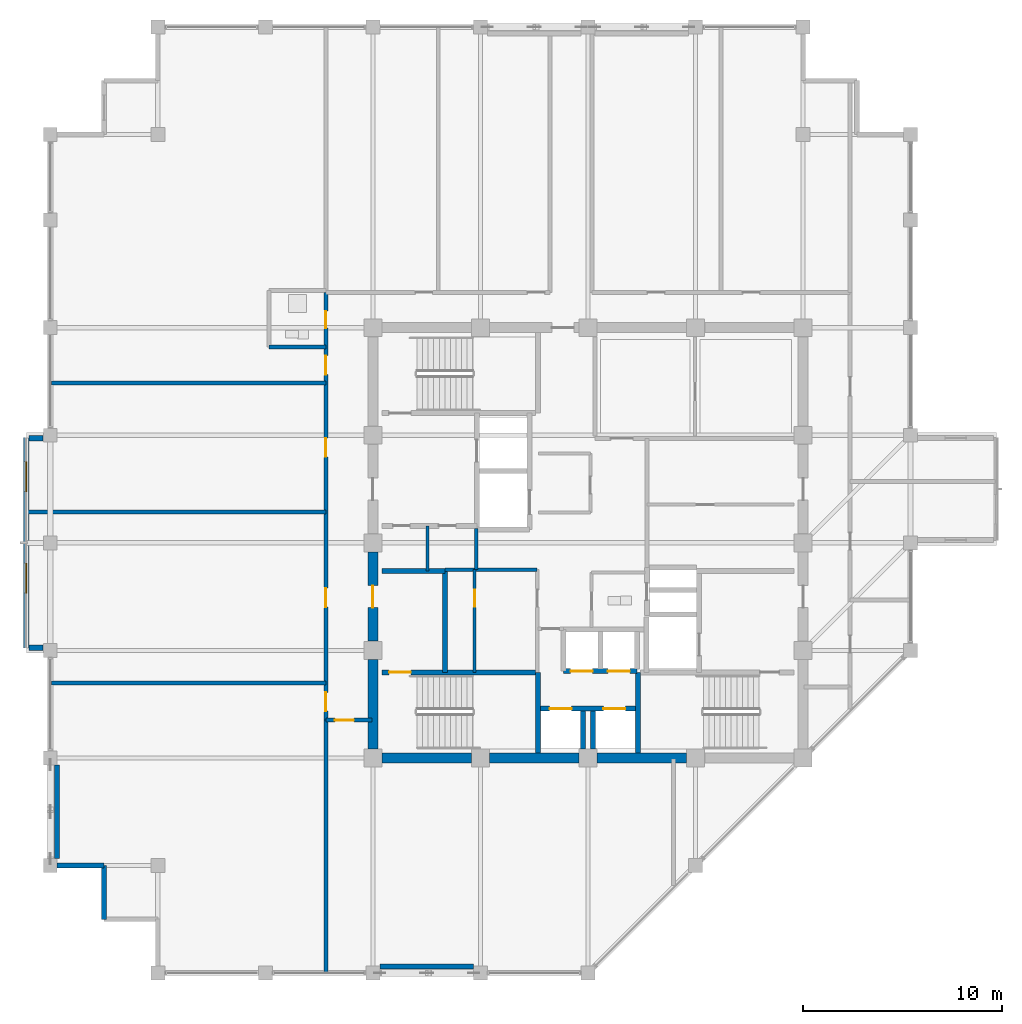
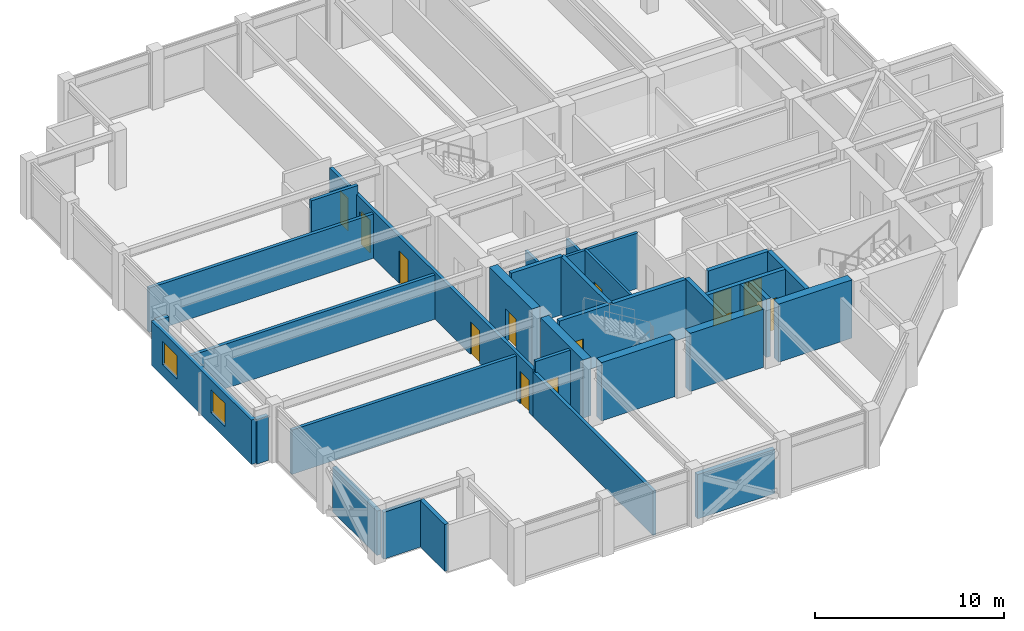
# One storey, part 24 of 30: 32 walls, 13 doors, 2 windows, 15 openings.
"""IFC4 building model written with IfcOpenShell, lengths in metres."""

from ifc_helpers import new_model, si_unit, direction, frame, frame_2d, origin, place, context, subcontext, project, spatial, rectangle, extrude, material, layer, layer_set, type_object, element, fill, save


model = new_model("IFC4")

# Units and contexts
model_context = context("Model", 3, precision=1e-05, world=origin(), true_north=direction((0.0, 1.0)))
body_context = subcontext(model_context, "Body", "Model", "MODEL_VIEW")
ifc_project = project(units=[si_unit("LENGTHUNIT", "METRE"), si_unit("AREAUNIT", "SQUARE_METRE"), si_unit("VOLUMEUNIT", "CUBIC_METRE"), si_unit("PLANEANGLEUNIT", "RADIAN"), si_unit("MASSUNIT", "GRAM", prefix="KILO")], contexts=[model_context])

# Site, building, storey
site_placement = place(None, origin())
site = spatial("IfcSite", under=ifc_project, at=site_placement, CompositionType="ELEMENT")
building_placement = place(site_placement, origin())
building = spatial("IfcBuilding", under=site, at=building_placement, Name="Surkhivell Harbour Commons", CompositionType="ELEMENT")
storey_placement = place(building_placement, frame((0.0, 0.0, 307.5)))
storey = spatial("IfcBuildingStorey", under=building, at=storey_placement, Name="L80", CompositionType="ELEMENT", Elevation=307.5)

# Walls
ifc_material_1 = material(Name="Concrete C50/60", Category="concrete")
ifc_layer_1 = layer(ifc_material_1, 0.5)
ifc_layer_set_1 = layer_set([ifc_layer_1], Name="Concrete C50/60")
wall_type_1 = type_object("IfcWallType", Name="WAL-CORE-500", PredefinedType="SHEAR", material=ifc_layer_set_1)
for number, where, z_axis, x_axis, name in (
    (1, (-10.340087890625, -10.800048828125, 0.0), (0.0, 0.0, 1.0), (1.0, 0.0, 0.0), "L80 Core Shear Wall South 1"),
    (2, (-10.800048828125, -10.340087890625, 0.0), (0.0, 0.0, 1.0), (0.0, 1.0, 0.0), "L80 Core Shear Wall West 1"),
    (3, (-4.93994140625, -10.800048828125, 0.0), (0.0, 0.0, 1.0), (1.0, 0.0, 0.0), "L80 Core Shear Wall South 2"),
):
    element("IfcWall", number, at=place(storey_placement, frame(where, z_axis=z_axis, x_axis=x_axis)), inside=storey, type_object=wall_type_1, Name=name, PredefinedType="SHEAR", context=body_context, shape_type="SweptSolid", body=[
        extrude(rectangle(XDim=4.47998046875, YDim=0.5, at=frame_2d((2.239990234375, 0.0))), origin(), (0.0, 0.0, 1.0), 3.75),
    ])

# Wall, opening, door
wall_1_placement = place(storey_placement, frame((-10.800048828125, -4.93994140625, 0.0), z_axis=(0.0, 0.0, 1.0), x_axis=(0.0, 1.0, 0.0)))
wall_1 = element("IfcWall", 4, at=wall_1_placement, inside=storey, type_object=wall_type_1, Name="L80 Core Shear Wall West 2", PredefinedType="SHEAR", context=body_context, shape_type="SweptSolid", body=[
    extrude(rectangle(XDim=4.47998046875, YDim=0.5, at=frame_2d((2.239990234375, 0.0))), origin(), (0.0, 0.0, 1.0), 3.75),
])
opening_1_placement = place(wall_1_placement, frame((1.68994140625, 0.0, 0.0)))
opening_1 = element("IfcOpeningElement", 5, at=opening_1_placement, cuts=wall_1, Name="Opening ID-2", PredefinedType="OPENING", context=body_context, shape_type="SweptSolid", body=[
    extrude(rectangle(XDim=1.10009765625, YDim=2.10009765625, at=frame_2d((0.550048828125, 1.050048828125))), frame((0.0, 0.260009765625, 0.0), z_axis=(0.0, -1.0, 0.0), x_axis=(1.0, 0.0, 0.0)), (0.0, 0.0, 1.0), 0.52001953125),
])
ifc_material_2 = material(Name="Hardwood-veneered fire-rated door leaf", Category="wood")
door_type_1 = type_object("IfcDoorType", Name="DOR-FD60-1100", OperationType="NOTDEFINED", PredefinedType="DOOR", material=ifc_material_2)
door_1_placement = place(opening_1_placement, origin())
door_1 = element("IfcDoor", 6, at=door_1_placement, inside=storey, type_object=door_type_1, Name="L80 Stair 3 Lobby Corridor Door", OperationType="SINGLE_SWING_LEFT", OverallHeight=2.10009765625, OverallWidth=1.10009765625, PredefinedType="DOOR", context=body_context, shape_type="SweptSolid", body=[
    extrude(rectangle(XDim=1.10009765625, YDim=2.10009765625, at=frame_2d((0.550048828125, 1.050048828125))), frame((0.0, 0.02490234375, 0.0), z_axis=(0.0, -1.0, 0.0), x_axis=(1.0, 0.0, 0.0)), (0.0, 0.0, 1.0), 0.050048828125),
])
fill(opening_1, door_1)

# Walls
wall_2_placement = place(storey_placement, frame((0.4599609375, -10.800048828125, 0.0), z_axis=(0.0, 0.0, 1.0), x_axis=(1.0, 0.0, 0.0)))
element("IfcWall", 7, at=wall_2_placement, inside=storey, type_object=wall_type_1, Name="L80 Core Shear Wall South 3", PredefinedType="SHEAR", context=body_context, shape_type="SweptSolid", body=[
    extrude(rectangle(XDim=4.47998046875, YDim=0.5, at=frame_2d((2.239990234375, 0.0))), origin(), (0.0, 0.0, 1.0), 3.75),
])
ifc_material_3 = material(Name="Pale-metal insulated precast concrete C45/55", Category="concrete")
ifc_layer_2 = layer(ifc_material_3, 0.260009765625)
ifc_layer_set_2 = layer_set([ifc_layer_2], Name="Pale-metal insulated precast concrete C45/55")
wall_type_2 = type_object("IfcWallType", Name="WAL-EXT-MTL260", PredefinedType="STANDARD", material=ifc_layer_set_2)
wall_3_placement = place(storey_placement, frame((-10.451904296875, -21.264892578125, 0.0), z_axis=(0.0, 0.0, 1.0), x_axis=(1.0, 0.0, 0.0)))
element("IfcWall", 8, at=wall_3_placement, inside=storey, type_object=wall_type_2, Name="L80 Braced-Bay Insulated Spandrel Backing S", PredefinedType="STANDARD", context=body_context, shape_type="SweptSolid", body=[
    extrude(rectangle(XDim=4.703857421875, YDim=0.260009765625, at=frame_2d((2.35205078125, 0.0))), origin(), (0.0, 0.0, 1.0), 2.85693359375),
])
wall_4_placement = place(storey_placement, frame((-26.6650390625, -15.85205078125, 0.0), z_axis=(0.0, 0.0, 1.0), x_axis=(0.0, 1.0, 0.0)))
element("IfcWall", 9, at=wall_4_placement, inside=storey, type_object=wall_type_2, Name="L80 Braced-Bay Insulated Spandrel Backing W", PredefinedType="STANDARD", context=body_context, shape_type="SweptSolid", body=[
    extrude(rectangle(XDim=4.7041015625, YDim=0.260009765625, at=frame_2d((2.35205078125, 0.0))), origin(), (0.0, 0.0, 1.0), 2.85693359375),
])
ifc_material_4 = material(Name="Bronze-ochre cassette precast concrete C45/55", Category="concrete")
ifc_layer_3 = layer(ifc_material_4, 0.239990234375)
ifc_layer_set_3 = layer_set([ifc_layer_3], Name="Bronze-ochre cassette precast concrete C45/55")
wall_type_3 = type_object("IfcWallType", Name="WAL-EXT-OCH240", PredefinedType="STANDARD", material=ifc_layer_set_3)
wall_5_placement = place(storey_placement, frame((-26.652099609375, -16.199951171875, 0.0), z_axis=(0.0, 0.0, 1.0), x_axis=(1.0, 0.0, 0.0)))
element("IfcWall", 10, at=wall_5_placement, inside=storey, type_object=wall_type_3, Name="L80 Serrated Corner Facade Wall 13", PredefinedType="STANDARD", context=body_context, shape_type="SweptSolid", body=[
    extrude(rectangle(XDim=2.35205078125, YDim=0.239990234375, at=frame_2d((1.176025390625, 0.0))), origin(), (0.0, 0.0, 1.0), 3.012939453125),
])
wall_6_placement = place(storey_placement, frame((-24.300048828125, -16.199951171875, 0.0), z_axis=(0.0, 0.0, 1.0), x_axis=(0.0, -1.0, 0.0)))
element("IfcWall", 11, at=wall_6_placement, inside=storey, type_object=wall_type_3, Name="L80 Serrated Corner Facade Wall 14", PredefinedType="STANDARD", context=body_context, shape_type="SweptSolid", body=[
    extrude(rectangle(XDim=2.699951171875, YDim=0.239990234375, at=frame_2d((1.35009765625, 0.0))), origin(), (0.0, 0.0, 1.0), 3.012939453125),
])

# Wall, openings, windows
ifc_material_5 = material(Name="Terracotta-clad reinforced concrete C45/55", Category="masonry")
ifc_layer_4 = layer(ifc_material_5, 0.280029296875)
ifc_layer_set_4 = layer_set([ifc_layer_4], Name="Terracotta-clad reinforced concrete C45/55")
wall_type_4 = type_object("IfcWallType", Name="WAL-EXT-TER280", PredefinedType="STANDARD", material=ifc_layer_set_4)
wall_7_placement = place(storey_placement, frame((-28.199951171875, 5.280029296875, 0.0), z_axis=(0.0, 0.0, 1.0), x_axis=(0.0, -1.0, 0.0)))
wall_7 = element("IfcWall", 12, at=wall_7_placement, inside=storey, type_object=wall_type_4, Name="L80 Coloured Box Front Wall 02", PredefinedType="STANDARD", context=body_context, shape_type="SweptSolid", body=[
    extrude(rectangle(XDim=10.56005859375, YDim=0.280029296875, at=frame_2d((5.280029296875, 0.0))), origin(), (0.0, 0.0, 1.0), 2.85693359375),
])
opening_2_placement = place(wall_7_placement, frame((1.205078125, 0.0, 0.75)))
opening_2 = element("IfcOpeningElement", 13, at=opening_2_placement, cuts=wall_7, Name="Opening WN-13", PredefinedType="OPENING", context=body_context, shape_type="SweptSolid", body=[
    extrude(rectangle(XDim=1.5, YDim=1.5, at=frame_2d((0.75, 0.75))), frame((0.0, 0.14990234375, 0.0), z_axis=(0.0, -1.0, 0.0), x_axis=(1.0, 0.0, 0.0)), (0.0, 0.0, 1.0), 0.300048828125),
])
opening_3_placement = place(wall_7_placement, frame((6.304931640625, 0.0, 0.75)))
opening_3 = element("IfcOpeningElement", 14, at=opening_3_placement, cuts=wall_7, Name="Opening WN-13", PredefinedType="OPENING", context=body_context, shape_type="SweptSolid", body=[
    extrude(rectangle(XDim=1.5, YDim=1.5, at=frame_2d((0.75, 0.75))), frame((0.0, 0.14990234375, 0.0), z_axis=(0.0, -1.0, 0.0), x_axis=(1.0, 0.0, 0.0)), (0.0, 0.0, 1.0), 0.300048828125),
])
ifc_material_6 = material(Name="Thermal-break aluminium frame and double low-E glazing", Category="aluminium")
window_type = type_object("IfcWindowType", Name="WIN-BOX-1500x1500", PartitioningType="SINGLE_PANEL", PredefinedType="WINDOW", material=ifc_material_6)
window_1_placement = place(opening_2_placement, origin())
window_1 = element("IfcWindow", 15, at=window_1_placement, inside=storey, type_object=window_type, Name="L80 Coloured Box Square Window 02-1", OverallHeight=1.5, OverallWidth=1.5, PartitioningType="SINGLE_PANEL", PredefinedType="WINDOW", context=body_context, shape_type="SweptSolid", body=[
    extrude(rectangle(XDim=1.5, YDim=1.5, at=frame_2d((0.75, 0.75))), frame((0.0, 0.030029296875, 0.0), z_axis=(0.0, -1.0, 0.0), x_axis=(1.0, 0.0, 0.0)), (0.0, 0.0, 1.0), 0.06005859375),
])
fill(opening_2, window_1)
window_2_placement = place(opening_3_placement, origin())
window_2 = element("IfcWindow", 16, at=window_2_placement, inside=storey, type_object=window_type, Name="L80 Coloured Box Square Window 02-2", OverallHeight=1.5, OverallWidth=1.5, PartitioningType="SINGLE_PANEL", PredefinedType="WINDOW", context=body_context, shape_type="SweptSolid", body=[
    extrude(rectangle(XDim=1.5, YDim=1.5, at=frame_2d((0.75, 0.75))), frame((0.0, 0.030029296875, 0.0), z_axis=(0.0, -1.0, 0.0), x_axis=(1.0, 0.0, 0.0)), (0.0, 0.0, 1.0), 0.06005859375),
])
fill(opening_3, window_2)

# Walls
for number, where, z_axis, x_axis, name in (
    (17, (-28.06005859375, -5.260009765625, 0.0), (0.0, 0.0, 1.0), (1.0, 0.0, 0.0), "L80 Coloured Box Return Wall 02S"),
    (18, (-28.06005859375, 5.260009765625, 0.0), (0.0, 0.0, 1.0), (1.0, 0.0, 0.0), "L80 Coloured Box Return Wall 02N"),
):
    element("IfcWall", number, at=place(storey_placement, frame(where, z_axis=z_axis, x_axis=x_axis)), inside=storey, type_object=wall_type_4, Name=name, PredefinedType="STANDARD", context=body_context, shape_type="SweptSolid", body=[
        extrude(rectangle(XDim=0.7060546875, YDim=0.280029296875, at=frame_2d((0.35302734375, 0.0))), origin(), (0.0, 0.0, 1.0), 2.85693359375),
    ])

# Wall, opening, door
ifc_material_7 = material(Name="Twin-stud acoustic fireboard partition", Category="other")
ifc_layer_5 = layer(ifc_material_7, 0.14990234375)
ifc_layer_set_5 = layer_set([ifc_layer_5], Name="Twin-stud acoustic fireboard partition")
wall_type_5 = type_object("IfcWallType", Name="WAL-INT-150", PredefinedType="PARTITIONING", material=ifc_layer_set_5)
wall_8_placement = place(storey_placement, frame((-5.699951171875, -6.510009765625, 0.0), z_axis=(0.0, 0.0, 1.0), x_axis=(0.0, 1.0, 0.0)))
wall_8 = element("IfcWall", 19, at=wall_8_placement, inside=storey, type_object=wall_type_5, Name="L80 Core Cut B Partition", PredefinedType="PARTITIONING", context=body_context, shape_type="SweptSolid", body=[
    extrude(rectangle(XDim=5.159912109375, YDim=0.14990234375, at=frame_2d((2.580078125, 0.0))), origin(), (0.0, 0.0, 1.0), 3.570068359375),
])
opening_4_placement = place(wall_8_placement, frame((3.300048828125, 0.0, 0.0)))
opening_4 = element("IfcOpeningElement", 20, at=opening_4_placement, cuts=wall_8, Name="Opening ID-6", PredefinedType="OPENING", context=body_context, shape_type="SweptSolid", body=[
    extrude(rectangle(XDim=0.85009765625, YDim=2.10009765625, at=frame_2d((0.425048828125, 1.050048828125))), frame((0.0, 0.0849609375, 0.0), z_axis=(0.0, -1.0, 0.0), x_axis=(1.0, 0.0, 0.0)), (0.0, 0.0, 1.0), 0.169921875),
])
door_type_2 = type_object("IfcDoorType", Name="DOR-FD30-850", OperationType="NOTDEFINED", PredefinedType="DOOR", material=ifc_material_2)
door_2_placement = place(opening_4_placement, origin())
door_2 = element("IfcDoor", 21, at=door_2_placement, inside=storey, type_object=door_type_2, Name="L80 Core Focus Study Door", OperationType="SINGLE_SWING_RIGHT", OverallHeight=2.10009765625, OverallWidth=0.85009765625, PredefinedType="DOOR", context=body_context, shape_type="SweptSolid", body=[
    extrude(rectangle(XDim=0.85009765625, YDim=2.10009765625, at=frame_2d((0.425048828125, 1.050048828125))), frame((0.0, 0.02490234375, 0.0), z_axis=(0.0, -1.0, 0.0), x_axis=(1.0, 0.0, 0.0)), (0.0, 0.0, 1.0), 0.050048828125),
])
fill(opening_4, door_2)

# Walls
wall_9_placement = place(storey_placement, frame((-8.050048828125, -1.419921875, 0.0), z_axis=(0.0, 0.0, 1.0), x_axis=(0.0, 1.0, 0.0)))
element("IfcWall", 22, at=wall_9_placement, inside=storey, type_object=wall_type_5, Name="L80 West Seminar Booth Divider", PredefinedType="PARTITIONING", context=body_context, shape_type="SweptSolid", body=[
    extrude(rectangle(XDim=2.27001953125, YDim=0.14990234375, at=frame_2d((1.135009765625, 0.0))), origin(), (0.0, 0.0, 1.0), 3.012939453125),
])
ifc_material_8 = material(Name="High-density acoustic blockwork fire partition", Category="masonry")
ifc_layer_6 = layer(ifc_material_8, 0.175048828125)
ifc_layer_set_6 = layer_set([ifc_layer_6], Name="High-density acoustic blockwork fire partition")
wall_type_6 = type_object("IfcWallType", Name="WAL-INT-175", PredefinedType="PARTITIONING", material=ifc_layer_set_6)
wall_10_placement = place(storey_placement, frame((-7.179931640625, -1.35009765625, 0.0), z_axis=(0.0, 0.0, 1.0), x_axis=(1.0, 0.0, 0.0)))
element("IfcWall", 23, at=wall_10_placement, inside=storey, type_object=wall_type_6, Name="L80 Core Service Bay North Wall", PredefinedType="PARTITIONING", context=body_context, shape_type="SweptSolid", body=[
    extrude(rectangle(XDim=4.6298828125, YDim=0.175048828125, at=frame_2d((2.31494140625, 0.0))), origin(), (0.0, 0.0, 1.0), 3.570068359375),
])
wall_11_placement = place(storey_placement, frame((-5.6201171875, -1.35009765625, 0.0), z_axis=(0.0, 0.0, 1.0), x_axis=(0.0, 1.0, 0.0)))
element("IfcWall", 24, at=wall_11_placement, inside=storey, type_object=wall_type_6, Name="L80 West Core Bay East Wall", PredefinedType="PARTITIONING", context=body_context, shape_type="SweptSolid", body=[
    extrude(rectangle(XDim=2.070068359375, YDim=0.175048828125, at=frame_2d((1.03515625, 0.0))), origin(), (0.0, 0.0, 1.0), 3.012939453125),
])
ifc_material_9 = material(Name="Autoclaved aerated concrete blockwork and fire plaster", Category="masonry")
ifc_layer_7 = layer(ifc_material_9, 0.199951171875)
ifc_layer_set_7 = layer_set([ifc_layer_7], Name="Autoclaved aerated concrete blockwork and fire plaster")
wall_type_7 = type_object("IfcWallType", Name="WAL-INT-200", PredefinedType="PARTITIONING", material=ifc_layer_set_7)
wall_12_placement = place(storey_placement, frame((-13.159912109375, -21.5400390625, 0.0), z_axis=(0.0, 0.0, 1.0), x_axis=(0.0, 1.0, 0.0)))
element("IfcWall", 25, at=wall_12_placement, inside=storey, type_object=wall_type_7, Name="L80 South Hall West Divider", PredefinedType="PARTITIONING", context=body_context, shape_type="SweptSolid", body=[
    extrude(rectangle(XDim=12.64013671875, YDim=0.199951171875, at=frame_2d((6.320068359375, 0.0))), origin(), (0.0, 0.0, 1.0), 2.85693359375),
])

# Wall, openings, doors
wall_13_placement = place(storey_placement, frame((-13.159912109375, -8.89990234375, 0.0), z_axis=(0.0, 0.0, 1.0), x_axis=(0.0, 1.0, 0.0)))
wall_13 = element("IfcWall", 26, at=wall_13_placement, inside=storey, type_object=wall_type_7, Name="L80 West Corridor Wall", PredefinedType="PARTITIONING", context=body_context, shape_type="SweptSolid", body=[
    extrude(rectangle(XDim=21.47998046875, YDim=0.199951171875, at=frame_2d((10.739990234375, 0.0))), origin(), (0.0, 0.0, 1.0), 3.012939453125),
])
opening_5_placement = place(wall_13_placement, frame((0.445068359375, 0.0, 0.0)))
opening_5 = element("IfcOpeningElement", 27, at=opening_5_placement, cuts=wall_13, Name="Opening ID-4", PredefinedType="OPENING", context=body_context, shape_type="SweptSolid", body=[
    extrude(rectangle(XDim=0.949951171875, YDim=2.10009765625, at=frame_2d((0.47509765625, 1.050048828125))), frame((0.0, 0.10986328125, 0.0), z_axis=(0.0, -1.0, 0.0), x_axis=(1.0, 0.0, 0.0)), (0.0, 0.0, 1.0), 0.219970703125),
])
opening_6_placement = place(wall_13_placement, frame((19.68505859375, 0.0, 0.0)))
opening_6 = element("IfcOpeningElement", 28, at=opening_6_placement, cuts=wall_13, Name="Opening ID-6", PredefinedType="OPENING", context=body_context, shape_type="SweptSolid", body=[
    extrude(rectangle(XDim=0.85009765625, YDim=2.10009765625, at=frame_2d((0.425048828125, 1.050048828125))), frame((0.0, 0.10986328125, 0.0), z_axis=(0.0, -1.0, 0.0), x_axis=(1.0, 0.0, 0.0)), (0.0, 0.0, 1.0), 0.219970703125),
])
opening_7_placement = place(wall_13_placement, frame((17.35009765625, 0.0, 0.0)))
opening_7 = element("IfcOpeningElement", 29, at=opening_7_placement, cuts=wall_13, Name="Opening ID-4", PredefinedType="OPENING", context=body_context, shape_type="SweptSolid", body=[
    extrude(rectangle(XDim=0.949951171875, YDim=2.10009765625, at=frame_2d((0.47509765625, 1.050048828125))), frame((0.0, 0.10986328125, 0.0), z_axis=(0.0, -1.0, 0.0), x_axis=(1.0, 0.0, 0.0)), (0.0, 0.0, 1.0), 0.219970703125),
])
opening_8_placement = place(wall_13_placement, frame((5.669921875, 0.0, 0.0)))
opening_8 = element("IfcOpeningElement", 30, at=opening_8_placement, cuts=wall_13, Name="Opening ID-4", PredefinedType="OPENING", context=body_context, shape_type="SweptSolid", body=[
    extrude(rectangle(XDim=0.949951171875, YDim=2.10009765625, at=frame_2d((0.47509765625, 1.050048828125))), frame((0.0, 0.10986328125, 0.0), z_axis=(0.0, -1.0, 0.0), x_axis=(1.0, 0.0, 0.0)), (0.0, 0.0, 1.0), 0.219970703125),
])
opening_9_placement = place(wall_13_placement, frame((13.2099609375, 0.0, 0.0)))
opening_9 = element("IfcOpeningElement", 31, at=opening_9_placement, cuts=wall_13, Name="Opening ID-4", PredefinedType="OPENING", context=body_context, shape_type="SweptSolid", body=[
    extrude(rectangle(XDim=0.949951171875, YDim=2.10009765625, at=frame_2d((0.47509765625, 1.050048828125))), frame((0.0, 0.10986328125, 0.0), z_axis=(0.0, -1.0, 0.0), x_axis=(1.0, 0.0, 0.0)), (0.0, 0.0, 1.0), 0.219970703125),
])
door_3_placement = place(opening_6_placement, origin())
door_3 = element("IfcDoor", 32, at=door_3_placement, inside=storey, type_object=door_type_2, Name="L80 Communal Shower Bathroom West Door", OperationType="SINGLE_SWING_RIGHT", OverallHeight=2.10009765625, OverallWidth=0.85009765625, PredefinedType="DOOR", context=body_context, shape_type="SweptSolid", body=[
    extrude(rectangle(XDim=0.85009765625, YDim=2.10009765625, at=frame_2d((0.425048828125, 1.050048828125))), frame((0.0, 0.02490234375, 0.0), z_axis=(0.0, -1.0, 0.0), x_axis=(1.0, 0.0, 0.0)), (0.0, 0.0, 1.0), 0.050048828125),
])
fill(opening_6, door_3)
door_type_3 = type_object("IfcDoorType", Name="DOR-FD60-950", OperationType="NOTDEFINED", PredefinedType="DOOR", material=ifc_material_2)
door_4_placement = place(opening_5_placement, origin())
door_4 = element("IfcDoor", 33, at=door_4_placement, inside=storey, type_object=door_type_3, Name="L80 Shared Communal Kitchen West Door", OperationType="SINGLE_SWING_LEFT", OverallHeight=2.10009765625, OverallWidth=0.949951171875, PredefinedType="DOOR", context=body_context, shape_type="SweptSolid", body=[
    extrude(rectangle(XDim=0.949951171875, YDim=2.10009765625, at=frame_2d((0.47509765625, 1.050048828125))), frame((0.0, 0.02490234375, 0.0), z_axis=(0.0, -1.0, 0.0), x_axis=(1.0, 0.0, 0.0)), (0.0, 0.0, 1.0), 0.050048828125),
])
fill(opening_5, door_4)
door_5_placement = place(opening_7_placement, origin())
door_5 = element("IfcDoor", 34, at=door_5_placement, inside=storey, type_object=door_type_3, Name="L80 Academic Reading Commons West Door", OperationType="SINGLE_SWING_LEFT", OverallHeight=2.10009765625, OverallWidth=0.949951171875, PredefinedType="DOOR", context=body_context, shape_type="SweptSolid", body=[
    extrude(rectangle(XDim=0.949951171875, YDim=2.10009765625, at=frame_2d((0.47509765625, 1.050048828125))), frame((0.0, 0.02490234375, 0.0), z_axis=(0.0, -1.0, 0.0), x_axis=(1.0, 0.0, 0.0)), (0.0, 0.0, 1.0), 0.050048828125),
])
fill(opening_7, door_5)
door_6_placement = place(opening_8_placement, origin())
door_6 = element("IfcDoor", 35, at=door_6_placement, inside=storey, type_object=door_type_3, Name="L80 Hostel Cluster Bedroom 1 West Door", OperationType="SINGLE_SWING_RIGHT", OverallHeight=2.10009765625, OverallWidth=0.949951171875, PredefinedType="DOOR", context=body_context, shape_type="SweptSolid", body=[
    extrude(rectangle(XDim=0.949951171875, YDim=2.10009765625, at=frame_2d((0.47509765625, 1.050048828125))), frame((0.0, 0.02490234375, 0.0), z_axis=(0.0, -1.0, 0.0), x_axis=(1.0, 0.0, 0.0)), (0.0, 0.0, 1.0), 0.050048828125),
])
fill(opening_8, door_6)
door_7_placement = place(opening_9_placement, origin())
door_7 = element("IfcDoor", 36, at=door_7_placement, inside=storey, type_object=door_type_3, Name="L80 Co-Living Dormitory Bedroom 2 West Door", OperationType="SINGLE_SWING_LEFT", OverallHeight=2.10009765625, OverallWidth=0.949951171875, PredefinedType="DOOR", context=body_context, shape_type="SweptSolid", body=[
    extrude(rectangle(XDim=0.949951171875, YDim=2.10009765625, at=frame_2d((0.47509765625, 1.050048828125))), frame((0.0, 0.02490234375, 0.0), z_axis=(0.0, -1.0, 0.0), x_axis=(1.0, 0.0, 0.0)), (0.0, 0.0, 1.0), 0.050048828125),
])
fill(opening_9, door_7)

# Wall, opening, door
wall_14_placement = place(storey_placement, frame((-13.159912109375, -8.89990234375, 0.0), z_axis=(0.0, 0.0, 1.0), x_axis=(1.0, 0.0, 0.0)))
wall_14 = element("IfcWall", 37, at=wall_14_placement, inside=storey, type_object=wall_type_7, Name="L80 West Corridor South Portal Wall", PredefinedType="PARTITIONING", context=body_context, shape_type="SweptSolid", body=[
    extrude(rectangle(XDim=2.309814453125, YDim=0.199951171875, at=frame_2d((1.15478515625, 0.0))), origin(), (0.0, 0.0, 1.0), 3.570068359375),
])
opening_10_placement = place(wall_14_placement, frame((0.449951171875, 0.0, 0.0)))
opening_10 = element("IfcOpeningElement", 38, at=opening_10_placement, cuts=wall_14, Name="Opening ID-4", PredefinedType="OPENING", context=body_context, shape_type="SweptSolid", body=[
    extrude(rectangle(XDim=0.949951171875, YDim=2.10009765625, at=frame_2d((0.47509765625, 1.050048828125))), frame((0.0, 0.10986328125, 0.0), z_axis=(0.0, -1.0, 0.0), x_axis=(1.0, 0.0, 0.0)), (0.0, 0.0, 1.0), 0.219970703125),
])
door_8_placement = place(opening_10_placement, origin())
door_8 = element("IfcDoor", 39, at=door_8_placement, inside=storey, type_object=door_type_3, Name="L80 South Reading Door", OperationType="SINGLE_SWING_RIGHT", OverallHeight=2.10009765625, OverallWidth=0.949951171875, PredefinedType="DOOR", context=body_context, shape_type="SweptSolid", body=[
    extrude(rectangle(XDim=0.949951171875, YDim=2.10009765625, at=frame_2d((0.47509765625, 1.050048828125))), frame((0.0, 0.02490234375, 0.0), z_axis=(0.0, -1.0, 0.0), x_axis=(1.0, 0.0, 0.0)), (0.0, 0.0, 1.0), 0.050048828125),
])
fill(opening_10, door_8)

# Walls
wall_15_placement = place(storey_placement, frame((-28.139892578125, 1.550048828125, 0.0), z_axis=(0.0, 0.0, 1.0), x_axis=(1.0, 0.0, 0.0)))
element("IfcWall", 40, at=wall_15_placement, inside=storey, type_object=wall_type_7, Name="L80 West Partition BDP1", PredefinedType="PARTITIONING", context=body_context, shape_type="SweptSolid", body=[
    extrude(rectangle(XDim=14.97998046875, YDim=0.199951171875, at=frame_2d((7.489990234375, 0.0))), origin(), (0.0, 0.0, 1.0), 2.85693359375),
])
wall_16_placement = place(storey_placement, frame((-16.010009765625, 9.830078125, 0.0), z_axis=(0.0, 0.0, 1.0), x_axis=(1.0, 0.0, 0.0)))
element("IfcWall", 41, at=wall_16_placement, inside=storey, type_object=wall_type_7, Name="L80 West Partition BTHS", PredefinedType="PARTITIONING", context=body_context, shape_type="SweptSolid", body=[
    extrude(rectangle(XDim=2.85009765625, YDim=0.199951171875, at=frame_2d((1.425048828125, 0.0))), origin(), (0.0, 0.0, 1.0), 3.570068359375),
])
for number, where, z_axis, x_axis, name in (
    (42, (-26.93994140625, -7.050048828125, 0.0), (0.0, 0.0, 1.0), (1.0, 0.0, 0.0), "L80 West Partition PBOT"),
    (43, (-26.93994140625, 8.030029296875, 0.0), (0.0, 0.0, 1.0), (1.0, 0.0, 0.0), "L80 West Partition PTOP"),
):
    element("IfcWall", number, at=place(storey_placement, frame(where, z_axis=z_axis, x_axis=x_axis)), inside=storey, type_object=wall_type_7, Name=name, PredefinedType="PARTITIONING", context=body_context, shape_type="SweptSolid", body=[
        extrude(rectangle(XDim=13.780029296875, YDim=0.199951171875, at=frame_2d((6.89013671875, 0.0))), origin(), (0.0, 0.0, 1.0), 2.85693359375),
    ])
ifc_layer_8 = layer(ifc_material_1, 0.25)
ifc_layer_set_8 = layer_set([ifc_layer_8], Name="Concrete C50/60")
wall_type_8 = type_object("IfcWallType", Name="WAL-SHAFT-250", PredefinedType="SHEAR", material=ifc_layer_set_8)
for number, where, z_axis, x_axis, name in (
    (44, (-0.25, -10.35009765625, 0.0), (0.0, 0.0, 1.0), (0.0, 1.0, 0.0), "L80 High-Rise Side Wall S"),
    (45, (0.25, -10.35009765625, 0.0), (0.0, 0.0, 1.0), (0.0, 1.0, 0.0), "L80 High-Rise Side Wall S"),
):
    element("IfcWall", number, at=place(storey_placement, frame(where, z_axis=z_axis, x_axis=x_axis)), inside=storey, type_object=wall_type_8, Name=name, PredefinedType="SHEAR", context=body_context, shape_type="SweptSolid", body=[
        extrude(rectangle(XDim=1.91015625, YDim=0.25, at=frame_2d((0.955078125, 0.0))), origin(), (0.0, 0.0, 1.0), 3.75),
    ])

# Wall, openings, doors
wall_17_placement = place(storey_placement, frame((-1.219970703125, -6.43994140625, 0.0), z_axis=(0.0, 0.0, 1.0), x_axis=(1.0, 0.0, 0.0)))
wall_17 = element("IfcWall", 46, at=wall_17_placement, inside=storey, type_object=wall_type_8, Name="L80 High-Rise North Front Shaft Wall", PredefinedType="SHEAR", context=body_context, shape_type="SweptSolid", body=[
    extrude(rectangle(XDim=3.669921875, YDim=0.25, at=frame_2d((1.8349609375, 0.0))), origin(), (0.0, 0.0, 1.0), 3.75),
])
opening_11_placement = place(wall_17_placement, frame((0.35009765625, 0.0, 0.0)))
opening_11 = element("IfcOpeningElement", 47, at=opening_11_placement, cuts=wall_17, Name="Opening LD-1", PredefinedType="OPENING", context=body_context, shape_type="SweptSolid", body=[
    extrude(rectangle(XDim=1.10009765625, YDim=2.10009765625, at=frame_2d((0.550048828125, 1.050048828125))), frame((0.0, 0.135009765625, 0.0), z_axis=(0.0, -1.0, 0.0), x_axis=(1.0, 0.0, 0.0)), (0.0, 0.0, 1.0), 0.27001953125),
])
opening_12_placement = place(wall_17_placement, frame((2.219970703125, 0.0, 0.0)))
opening_12 = element("IfcOpeningElement", 48, at=opening_12_placement, cuts=wall_17, Name="Opening LD-1", PredefinedType="OPENING", context=body_context, shape_type="SweptSolid", body=[
    extrude(rectangle(XDim=1.10009765625, YDim=2.10009765625, at=frame_2d((0.550048828125, 1.050048828125))), frame((0.0, 0.135009765625, 0.0), z_axis=(0.0, -1.0, 0.0), x_axis=(1.0, 0.0, 0.0)), (0.0, 0.0, 1.0), 0.27001953125),
])
ifc_material_10 = material(Name="Brushed stainless steel S355", Category="steel")
door_type_4 = type_object("IfcDoorType", Name="DOR-LD-1100", OperationType="SLIDING_TO_LEFT", PredefinedType="DOOR", material=ifc_material_10)
door_9_placement = place(opening_11_placement, origin())
door_9 = element("IfcDoor", 49, at=door_9_placement, inside=storey, type_object=door_type_4, Name="L80 Lift Landing Door LD-PH1", OperationType="SLIDING_TO_LEFT", OverallHeight=2.10009765625, OverallWidth=1.10009765625, PredefinedType="DOOR", context=body_context, shape_type="SweptSolid", body=[
    extrude(rectangle(XDim=1.10009765625, YDim=2.10009765625, at=frame_2d((0.550048828125, 1.050048828125))), frame((0.0, 0.02490234375, 0.0), z_axis=(0.0, -1.0, 0.0), x_axis=(1.0, 0.0, 0.0)), (0.0, 0.0, 1.0), 0.050048828125),
])
fill(opening_11, door_9)
door_10_placement = place(opening_12_placement, origin())
door_10 = element("IfcDoor", 50, at=door_10_placement, inside=storey, type_object=door_type_4, Name="L80 Lift Landing Door LD-PH2", OperationType="SLIDING_TO_LEFT", OverallHeight=2.10009765625, OverallWidth=1.10009765625, PredefinedType="DOOR", context=body_context, shape_type="SweptSolid", body=[
    extrude(rectangle(XDim=1.10009765625, YDim=2.10009765625, at=frame_2d((0.550048828125, 1.050048828125))), frame((0.0, 0.02490234375, 0.0), z_axis=(0.0, -1.0, 0.0), x_axis=(1.0, 0.0, 0.0)), (0.0, 0.0, 1.0), 0.050048828125),
])
fill(opening_12, door_10)

wall_18_placement = place(storey_placement, frame((-2.47998046875, -8.320068359375, 0.0), z_axis=(0.0, 0.0, 1.0), x_axis=(1.0, 0.0, 0.0)))
wall_18 = element("IfcWall", 51, at=wall_18_placement, inside=storey, type_object=wall_type_8, Name="L80 High-Rise South Front Shaft Wall", PredefinedType="SHEAR", context=body_context, shape_type="SweptSolid", body=[
    extrude(rectangle(XDim=4.929931640625, YDim=0.25, at=frame_2d((2.46484375, 0.0))), origin(), (0.0, 0.0, 1.0), 3.75),
])
opening_13_placement = place(wall_18_placement, frame((0.550048828125, 0.0, 0.0)))
opening_13 = element("IfcOpeningElement", 52, at=opening_13_placement, cuts=wall_18, Name="Opening LD-1", PredefinedType="OPENING", context=body_context, shape_type="SweptSolid", body=[
    extrude(rectangle(XDim=1.10009765625, YDim=2.10009765625, at=frame_2d((0.550048828125, 1.050048828125))), frame((0.0, 0.135009765625, 0.0), z_axis=(0.0, -1.0, 0.0), x_axis=(1.0, 0.0, 0.0)), (0.0, 0.0, 1.0), 0.27001953125),
])
opening_14_placement = place(wall_18_placement, frame((3.25, 0.0, 0.0)))
opening_14 = element("IfcOpeningElement", 53, at=opening_14_placement, cuts=wall_18, Name="Opening LD-1", PredefinedType="OPENING", context=body_context, shape_type="SweptSolid", body=[
    extrude(rectangle(XDim=1.10009765625, YDim=2.10009765625, at=frame_2d((0.550048828125, 1.050048828125))), frame((0.0, 0.135009765625, 0.0), z_axis=(0.0, -1.0, 0.0), x_axis=(1.0, 0.0, 0.0)), (0.0, 0.0, 1.0), 0.27001953125),
])
door_11_placement = place(opening_13_placement, origin())
door_11 = element("IfcDoor", 54, at=door_11_placement, inside=storey, type_object=door_type_4, Name="L80 Lift Landing Door LD-PH3", OperationType="SLIDING_TO_LEFT", OverallHeight=2.10009765625, OverallWidth=1.10009765625, PredefinedType="DOOR", context=body_context, shape_type="SweptSolid", body=[
    extrude(rectangle(XDim=1.10009765625, YDim=2.10009765625, at=frame_2d((0.550048828125, 1.050048828125))), frame((0.0, 0.02490234375, 0.0), z_axis=(0.0, -1.0, 0.0), x_axis=(1.0, 0.0, 0.0)), (0.0, 0.0, 1.0), 0.050048828125),
])
fill(opening_13, door_11)
door_12_placement = place(opening_14_placement, origin())
door_12 = element("IfcDoor", 55, at=door_12_placement, inside=storey, type_object=door_type_4, Name="L80 Lift Landing Door LD-PH4", OperationType="SLIDING_TO_LEFT", OverallHeight=2.10009765625, OverallWidth=1.10009765625, PredefinedType="DOOR", context=body_context, shape_type="SweptSolid", body=[
    extrude(rectangle(XDim=1.10009765625, YDim=2.10009765625, at=frame_2d((0.550048828125, 1.050048828125))), frame((0.0, 0.02490234375, 0.0), z_axis=(0.0, -1.0, 0.0), x_axis=(1.0, 0.0, 0.0)), (0.0, 0.0, 1.0), 0.050048828125),
])
fill(opening_14, door_12)

# Walls
for number, where, z_axis, x_axis, name in (
    (56, (2.510009765625, -10.550048828125, 0.0), (0.0, 0.0, 1.0), (0.0, 1.0, 0.0), "L80 Stair ST2 West Shear Wall"),
    (57, (-2.510009765625, -10.550048828125, 0.0), (0.0, 0.0, 1.0), (0.0, 1.0, 0.0), "L80 Stair ST3 East Shear Wall"),
):
    element("IfcWall", number, at=place(storey_placement, frame(where, z_axis=z_axis, x_axis=x_axis)), inside=storey, type_object=wall_type_8, Name=name, PredefinedType="SHEAR", context=body_context, shape_type="SweptSolid", body=[
        extrude(rectangle(XDim=4.0400390625, YDim=0.25, at=frame_2d((2.02001953125, 0.0))), origin(), (0.0, 0.0, 1.0), 3.75),
    ])
wall_19_placement = place(storey_placement, frame((-7.179931640625, -6.510009765625, 0.0), z_axis=(0.0, 0.0, 1.0), x_axis=(0.0, 1.0, 0.0)))
element("IfcWall", 58, at=wall_19_placement, inside=storey, type_object=wall_type_8, Name="L80 Stair 3 Lobby East Wall", PredefinedType="SHEAR", context=body_context, shape_type="SweptSolid", body=[
    extrude(rectangle(XDim=5.090087890625, YDim=0.25, at=frame_2d((2.544921875, 0.0))), origin(), (0.0, 0.0, 1.0), 3.75),
])
wall_20_placement = place(storey_placement, frame((-10.340087890625, -1.419921875, 0.0), z_axis=(0.0, 0.0, 1.0), x_axis=(1.0, 0.0, 0.0)))
element("IfcWall", 59, at=wall_20_placement, inside=storey, type_object=wall_type_8, Name="L80 Stair 3 Lobby North Wall", PredefinedType="SHEAR", context=body_context, shape_type="SweptSolid", body=[
    extrude(rectangle(XDim=3.16015625, YDim=0.25, at=frame_2d((1.580078125, 0.0))), origin(), (0.0, 0.0, 1.0), 3.75),
])

# Wall, opening, door
wall_21_placement = place(storey_placement, frame((-10.340087890625, -6.510009765625, 0.0), z_axis=(0.0, 0.0, 1.0), x_axis=(1.0, 0.0, 0.0)))
wall_21 = element("IfcWall", 60, at=wall_21_placement, inside=storey, type_object=wall_type_8, Name="L80 Stair ST3 North Shear Wall", PredefinedType="SHEAR", context=body_context, shape_type="SweptSolid", body=[
    extrude(rectangle(XDim=7.7001953125, YDim=0.25, at=frame_2d((3.85009765625, 0.0))), origin(), (0.0, 0.0, 1.0), 3.75),
])
opening_15_placement = place(wall_21_placement, frame((0.35009765625, 0.0, 0.0)))
opening_15 = element("IfcOpeningElement", 61, at=opening_15_placement, cuts=wall_21, Name="Opening ID-2", PredefinedType="OPENING", context=body_context, shape_type="SweptSolid", body=[
    extrude(rectangle(XDim=1.10009765625, YDim=2.10009765625, at=frame_2d((0.550048828125, 1.050048828125))), frame((0.0, 0.135009765625, 0.0), z_axis=(0.0, -1.0, 0.0), x_axis=(1.0, 0.0, 0.0)), (0.0, 0.0, 1.0), 0.27001953125),
])
door_13_placement = place(opening_15_placement, origin())
door_13 = element("IfcDoor", 62, at=door_13_placement, inside=storey, type_object=door_type_1, Name="L80 Stair ST3 Exit Door", OperationType="SINGLE_SWING_RIGHT", OverallHeight=2.10009765625, OverallWidth=1.10009765625, PredefinedType="DOOR", context=body_context, shape_type="SweptSolid", body=[
    extrude(rectangle(XDim=1.10009765625, YDim=2.10009765625, at=frame_2d((0.550048828125, 1.050048828125))), frame((0.0, 0.02490234375, 0.0), z_axis=(0.0, -1.0, 0.0), x_axis=(1.0, 0.0, 0.0)), (0.0, 0.0, 1.0), 0.050048828125),
])
fill(opening_15, door_13)

save(model, "model.ifc")
